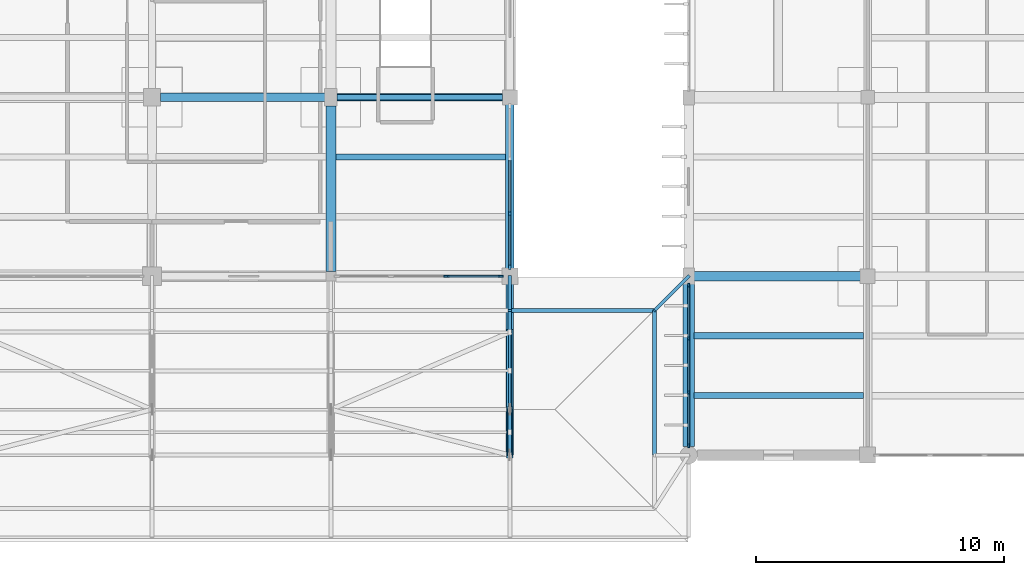
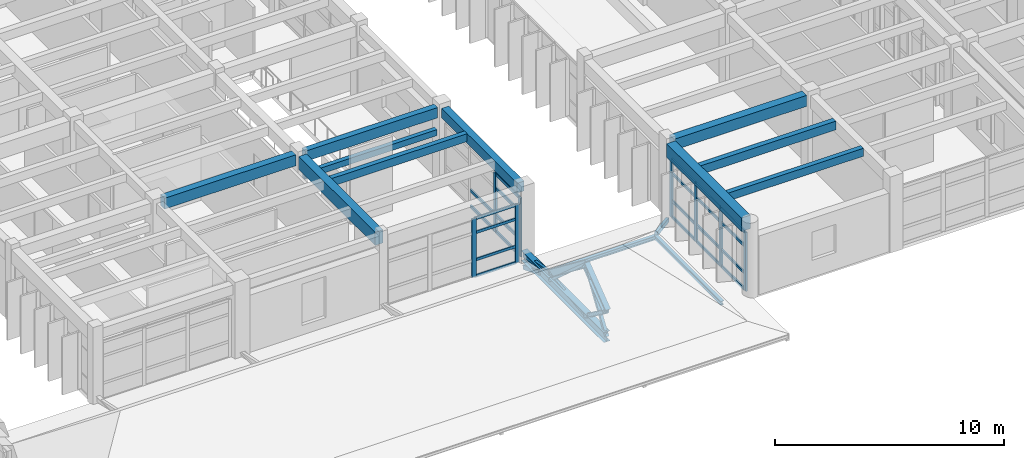
# One storey, part 26 of 100: 41 members, 11 beams, 3 elements without a shape of their own.
"""IFC4 building model written with IfcOpenShell, lengths in metres."""

import ifcopenshell
import ifcopenshell.guid

model = None  # the IFC model being written
_history = None  # IfcOwnerHistory: only IFC2X3 demands one
_inside = {}  # id of a spatial element -> (the spatial element, [elements in it])
_under = {}  # id of a project, library or spatial element -> (it, [spatial elements below it])
_declared = {}  # id of a project -> (the project, [libraries it declares])
_typed = {}  # id of a type object -> (the type object, [elements of that type])
_made_of = {}  # id of a material, layer set ... -> (it, [elements and type objects made of it])


def new_model(schema):
    """Start an empty IFC model of exactly this schema.

    Asked for "IFC4X3", IfcOpenShell would pick the latest addendum, in which some entities
    have other attributes; the version numbers below select the first issue.
    IFC2X3 requires an IfcOwnerHistory on every rooted entity: one is made here for all.
    """
    global model, _history
    if schema == "IFC4X3":
        model = ifcopenshell.file(schema_version=(4, 3, 0, 0))
    else:
        model = ifcopenshell.file(schema=schema)
    _inside.clear()
    _under.clear()
    _declared.clear()
    _typed.clear()
    _made_of.clear()
    _history = None
    if model.schema == "IFC2X3":
        org = make("IfcOrganization", Name="unknown")
        user = make(
            "IfcPersonAndOrganization",
            ThePerson=make("IfcPerson", FamilyName="unknown"),
            TheOrganization=org,
        )
        app = make(
            "IfcApplication",
            ApplicationDeveloper=org,
            Version="unknown",
            ApplicationFullName="unknown",
            ApplicationIdentifier="unknown",
        )
        _history = make(
            "IfcOwnerHistory",
            OwningUser=user,
            OwningApplication=app,
            ChangeAction="ADDED",
            CreationDate=0,
        )
    return model


def make(cls, **values):
    """One entity of the class cls with the attributes given. An attribute that is None is left unset."""
    return model.create_entity(
        cls, **{name: value for name, value in values.items() if value is not None}
    )


def rooted(cls, **values):
    """An entity with a GlobalId (a new one), such as an element, a storey or a relation."""
    return make(cls, GlobalId=ifcopenshell.guid.new(), OwnerHistory=_history, **values)


def si_unit(unit_type, name, prefix=None):
    """IfcSIUnit, for example si_unit("LENGTHUNIT", "METRE", prefix="MILLI")."""
    return make("IfcSIUnit", UnitType=unit_type, Prefix=prefix, Name=name)


def assignment(units):
    """IfcUnitAssignment: the units of a project."""
    return None if units is None else make("IfcUnitAssignment", Units=units)


def point(xyz):
    """IfcCartesianPoint."""
    return None if xyz is None else make("IfcCartesianPoint", Coordinates=xyz)


def direction(xyz):
    """IfcDirection."""
    return None if xyz is None else make("IfcDirection", DirectionRatios=xyz)


def frame(location, z_axis=None, x_axis=None):
    """IfcAxis2Placement3D, a coordinate frame: its origin and axes. An axis left out is left unset."""
    return make(
        "IfcAxis2Placement3D",
        Location=point(location),
        Axis=direction(z_axis),
        RefDirection=direction(x_axis),
    )


def frame_2d(location, x_axis=None):
    """IfcAxis2Placement2D, a coordinate frame in the plane: its origin and x axis."""
    return make(
        "IfcAxis2Placement2D", Location=point(location), RefDirection=direction(x_axis)
    )


def origin():
    """The frame at (0, 0, 0) with its axes left unset."""
    return frame((0.0, 0.0, 0.0))


def origin_2d():
    """The frame at (0, 0) in the plane with its x axis left unset."""
    return frame_2d((0.0, 0.0))


def place(relative_to, where):
    """IfcLocalPlacement: puts the frame where relative to a parent placement (None: the world)."""
    return make(
        "IfcLocalPlacement", PlacementRelTo=relative_to, RelativePlacement=where
    )


def context(
    kind, dimensions, precision=None, world=None, true_north=None, identifier=None
):
    """IfcGeometricRepresentationContext, for example the 3D "Model" context."""
    return make(
        "IfcGeometricRepresentationContext",
        ContextIdentifier=identifier,
        ContextType=kind,
        CoordinateSpaceDimension=dimensions,
        Precision=precision,
        WorldCoordinateSystem=world,
        TrueNorth=true_north,
    )


def subcontext(parent, identifier, kind, view, scale=None):
    """IfcGeometricRepresentationSubContext, for example "Body" below "Model"."""
    return make(
        "IfcGeometricRepresentationSubContext",
        ContextIdentifier=identifier,
        ContextType=kind,
        ParentContext=parent,
        TargetScale=scale,
        TargetView=view,
    )


def project(units=None, contexts=None):
    """IfcProject with its units and contexts."""
    return rooted(
        "IfcProject",
        Name="project",
        RepresentationContexts=contexts,
        UnitsInContext=assignment(units),
    )


def spatial(cls, under=None, at=None, **own):
    """A site, building, storey or space (cls), placed at a placement, below another one or the project."""
    s = rooted(cls, ObjectPlacement=at, **own)
    if under is not None:
        _under.setdefault(under.id(), (under, []))[1].append(s)
    return s


def profile(cls, at=None, kind="AREA", **sizes):
    """A parametric profile (cls). Its sizes go by their IFC names, for example OverallWidth=200.0."""
    return make(cls, ProfileType=kind, Position=at, **sizes)


def rectangle(**sizes):
    """IfcRectangleProfileDef."""
    return profile("IfcRectangleProfileDef", **sizes)


def hollow_rectangle(**sizes):
    """IfcRectangleHollowProfileDef."""
    return profile("IfcRectangleHollowProfileDef", **sizes)


def hollow_circle(**sizes):
    """IfcCircleHollowProfileDef."""
    return profile("IfcCircleHollowProfileDef", **sizes)


def i_section(**sizes):
    """IfcIShapeProfileDef."""
    return profile("IfcIShapeProfileDef", **sizes)


def extrude(swept, where, along, depth):
    """IfcExtrudedAreaSolid: the profile swept, set in the frame where, extruded along a direction by depth."""
    return make(
        "IfcExtrudedAreaSolid",
        SweptArea=swept,
        Position=where,
        ExtrudedDirection=direction(along),
        Depth=depth,
    )


def shape(context_of_items, identifier, shape_type, items):
    """IfcShapeRepresentation: the items that make up one representation, for example the "Body"."""
    return make(
        "IfcShapeRepresentation",
        ContextOfItems=context_of_items,
        RepresentationIdentifier=identifier,
        RepresentationType=shape_type,
        Items=items,
    )


def material(Name=None, Category=None):
    """IfcMaterial."""
    return make("IfcMaterial", Name=Name, Category=Category)


def material_profile(
    of_material, cross_section, Name=None, Category=None, Priority=None
):
    """IfcMaterialProfile: a cross section and its material."""
    return make(
        "IfcMaterialProfile",
        Name=Name,
        Material=of_material,
        Profile=cross_section,
        Priority=Priority,
        Category=Category,
    )


def profile_set(profiles, Name=None, composite=None):
    """IfcMaterialProfileSet."""
    return make(
        "IfcMaterialProfileSet",
        Name=Name,
        MaterialProfiles=profiles,
        CompositeProfile=composite,
    )


def made_of(thing, what):
    """Note that an element or type object is made of a material, layer set ...; save() writes the relation."""
    if what is not None:
        _made_of.setdefault(what.id(), (what, []))[1].append(thing)
    return thing


def type_object(cls, material=None, **own):
    """A type object (cls), such as IfcWallType, which elements share."""
    return made_of(rooted(cls, **own), material)


def element(
    cls,
    number,
    at=None,
    inside=None,
    cuts=None,
    type_object=None,
    material=None,
    context=None,
    identifier="Body",
    shape_type=None,
    held_by="IfcProductDefinitionShape",
    body=None,
    shapes=None,
    **own,
):
    """One element of the class cls, such as IfcWall. Its Tag is "e" and its number.

    at: its placement. inside: the storey or other place that contains it. cuts: it is an
    opening in that element (IfcRelVoidsElement). A single representation is given by context,
    identifier, shape_type and body (its items); several are given by shapes. held_by: the class
    of the entity that holds the representations. save() writes the other relations.
    """
    e = rooted(cls, Tag="e%d" % number, ObjectPlacement=at, **own)
    if body is not None:
        shapes = [shape(context, identifier, shape_type, body)]
    if shapes is not None:
        e.Representation = make(held_by, Representations=shapes)
    if inside is not None:
        _inside.setdefault(inside.id(), (inside, []))[1].append(e)
    if cuts is not None:
        rooted(
            "IfcRelVoidsElement", RelatingBuildingElement=cuts, RelatedOpeningElement=e
        )
    if type_object is not None:
        _typed.setdefault(type_object.id(), (type_object, []))[1].append(e)
    return made_of(e, material)


def aggregate(whole, parts):
    """IfcRelAggregates: a whole, such as a stair, and the parts it consists of."""
    return rooted("IfcRelAggregates", RelatingObject=whole, RelatedObjects=parts)


def save(model, path):
    """Write the relations noted so far, then the file.

    IfcRelAggregates (storeys below a building ...), IfcRelContainedInSpatialStructure (elements
    in a storey), IfcRelDefinesByType, IfcRelAssociatesMaterial and IfcRelDeclares: one each for
    every whole, place, type object, material and project.
    """
    for whole, parts in _under.values():
        aggregate(whole, parts)
    for where, things in _inside.values():
        rooted(
            "IfcRelContainedInSpatialStructure",
            RelatedElements=things,
            RelatingStructure=where,
        )
    for kind, things in _typed.values():
        rooted("IfcRelDefinesByType", RelatedObjects=things, RelatingType=kind)
    for what, things in _made_of.values():
        rooted("IfcRelAssociatesMaterial", RelatedObjects=things, RelatingMaterial=what)
    for by, libraries in _declared.values():
        rooted("IfcRelDeclares", RelatingContext=by, RelatedDefinitions=libraries)
    model.write(path)


model = new_model("IFC4")

# Units and contexts
model_context = context("Model", 3, precision=1e-05, world=origin(), true_north=direction((0.0, 1.0)))
body_context = subcontext(model_context, "Body", "Model", "MODEL_VIEW")
ifc_project = project(units=[si_unit("LENGTHUNIT", "METRE"), si_unit("AREAUNIT", "SQUARE_METRE"), si_unit("VOLUMEUNIT", "CUBIC_METRE"), si_unit("PLANEANGLEUNIT", "RADIAN"), si_unit("MASSUNIT", "GRAM", prefix="KILO")], contexts=[model_context])

# Site, building, storey
site_placement = place(None, origin())
site = spatial("IfcSite", under=ifc_project, at=site_placement, CompositionType="ELEMENT")
building_placement = place(site_placement, origin())
building = spatial("IfcBuilding", under=site, at=building_placement, Name="Steenspoor Specialist Clinic", CompositionType="ELEMENT")
storey_placement = place(building_placement, frame((0.0, 0.0, 9.0)))
storey = spatial("IfcBuildingStorey", under=building, at=storey_placement, Name="L02", CompositionType="ELEMENT", Elevation=9.0)

# Beams
ifc_material_1 = material(Name="Concrete C35/45", Category="concrete")
ifc_material_profile_1 = material_profile(ifc_material_1, rectangle(XDim=0.300048828125, YDim=0.550048828125, at=origin_2d()), Name="RC-BM-300X550")
ifc_profile_set_1 = profile_set([ifc_material_profile_1], Name="Concrete C35/45")
beam_type_1 = type_object("IfcBeamType", Name="BM-RC-300X550", PredefinedType="BEAM", material=ifc_profile_set_1)
beam_1_placement = place(storey_placement, frame((88.64501953125, 79.550048828125, 3.675048828125), z_axis=(1.0, 0.0, 0.0), x_axis=(0.0, 1.0, 0.0)))
element("IfcBeam", 1, at=beam_1_placement, inside=storey, type_object=beam_type_1, Name="BM-V4-L02-X0653", PredefinedType="BEAM", context=body_context, shape_type="SweptSolid", body=[
    extrude(rectangle(XDim=0.300048828125, YDim=0.550048828125, at=origin_2d()), origin(), (0.0, 0.0, 1.0), 6.659912109375),
])
ifc_material_profile_2 = material_profile(ifc_material_1, rectangle(XDim=0.35009765625, YDim=0.52001953125, at=origin_2d()), Name="RC-BM-350X520")
ifc_profile_set_2 = profile_set([ifc_material_profile_2], Name="Concrete C35/45")
beam_type_2 = type_object("IfcBeamType", Name="BM-RC-350X520", PredefinedType="BEAM", material=ifc_profile_set_2)
beam_2_placement = place(storey_placement, frame((95.60009765625, 72.669921875, 3.68994140625), z_axis=(0.0, 1.0, 0.0), x_axis=(-1.0, 0.0, 0.0)))
element("IfcBeam", 2, at=beam_2_placement, inside=storey, type_object=beam_type_2, Name="BM-V4-L02-Y0716", PredefinedType="BEAM", context=body_context, shape_type="SweptSolid", body=[
    extrude(rectangle(XDim=0.35009765625, YDim=0.52001953125, at=origin_2d()), origin(), (0.0, 0.0, 1.0), 6.5849609375),
])
ifc_material_profile_3 = material_profile(ifc_material_1, rectangle(XDim=0.35009765625, YDim=0.580078125, at=origin_2d()), Name="RC-BM-350X580")
ifc_profile_set_3 = profile_set([ifc_material_profile_3], Name="Concrete C35/45")
beam_type_3 = type_object("IfcBeamType", Name="BM-RC-350X580", PredefinedType="BEAM", material=ifc_profile_set_3)
beam_3_placement = place(storey_placement, frame((81.544921875, 79.550048828125, 3.659912109375), z_axis=(1.0, 0.0, 0.0), x_axis=(0.0, 1.0, 0.0)))
element("IfcBeam", 3, at=beam_3_placement, inside=storey, type_object=beam_type_3, Name="BM-V4-L02-X0652", PredefinedType="BEAM", context=body_context, shape_type="SweptSolid", body=[
    extrude(rectangle(XDim=0.35009765625, YDim=0.580078125, at=origin_2d()), origin(), (0.0, 0.0, 1.0), 6.610107421875),
])
ifc_material_profile_4 = material_profile(ifc_material_1, rectangle(XDim=0.39990234375, YDim=0.580078125, at=origin_2d()), Name="RC-BM-400X580")
ifc_profile_set_4 = profile_set([ifc_material_profile_4], Name="Concrete C35/45")
beam_type_4 = type_object("IfcBeamType", Name="BM-RC-400X580", PredefinedType="BEAM", material=ifc_profile_set_4)
beam_4_placement = place(storey_placement, frame((103.02001953125, 72.35009765625, 3.659912109375), z_axis=(1.0, 0.0, 0.0), x_axis=(0.0, 1.0, 0.0)))
element("IfcBeam", 4, at=beam_4_placement, inside=storey, type_object=beam_type_4, Name="BM-V4-L02-X0647", PredefinedType="BEAM", context=body_context, shape_type="SweptSolid", body=[
    extrude(rectangle(XDim=0.39990234375, YDim=0.580078125, at=origin_2d()), origin(), (0.0, 0.0, 1.0), 6.68505859375),
])
ifc_material_profile_5 = material_profile(ifc_material_1, rectangle(XDim=0.39990234375, YDim=0.699951171875, at=origin_2d()), Name="RC-BM-400X700")
ifc_profile_set_5 = profile_set([ifc_material_profile_5], Name="Concrete C35/45")
beam_type_5 = type_object("IfcBeamType", Name="BM-RC-400X700", PredefinedType="BEAM", material=ifc_profile_set_5)
beam_5_placement = place(storey_placement, frame((88.39990234375, 72.544921875, 3.60009765625), z_axis=(0.0, 1.0, 0.0), x_axis=(-1.0, 0.0, 0.0)))
element("IfcBeam", 5, at=beam_5_placement, inside=storey, type_object=beam_type_5, Name="BM-V4-L02-Y0711", PredefinedType="BEAM", context=body_context, shape_type="SweptSolid", body=[
    extrude(rectangle(XDim=0.39990234375, YDim=0.699951171875, at=origin_2d()), origin(), (0.0, 0.0, 1.0), 6.66015625),
])
ifc_material_profile_6 = material_profile(ifc_material_1, rectangle(XDim=0.449951171875, YDim=0.719970703125, at=origin_2d()), Name="RC-BM-450X720")
ifc_profile_set_6 = profile_set([ifc_material_profile_6], Name="Concrete C35/45")
beam_type_6 = type_object("IfcBeamType", Name="BM-RC-450X720", PredefinedType="BEAM", material=ifc_profile_set_6)
beam_6_placement = place(storey_placement, frame((102.800048828125, 65.4951171875, 3.590087890625), z_axis=(0.0, 1.0, 0.0), x_axis=(-1.0, 0.0, 0.0)))
element("IfcBeam", 6, at=beam_6_placement, inside=storey, type_object=beam_type_6, Name="BM-V4-L02-Y0721", PredefinedType="BEAM", context=body_context, shape_type="SweptSolid", body=[
    extrude(rectangle(XDim=0.449951171875, YDim=0.719970703125, at=origin_2d()), origin(), (0.0, 0.0, 1.0), 6.534912109375),
])
ifc_material_2 = material(Name="Steel A992 Grade 50", Category="steel")
ifc_material_profile_7 = material_profile(ifc_material_2, i_section(OverallWidth=0.31201171875, OverallDepth=0.54296875, WebThickness=0.0126953125, FlangeThickness=0.020263671875, at=origin_2d()), Name="W530X150")
ifc_profile_set_7 = profile_set([ifc_material_profile_7], Name="Steel A992 Grade 50")
beam_type_7 = type_object("IfcBeamType", Name="BM-ST-W530X150", PredefinedType="BEAM", material=ifc_profile_set_7)
beam_7_placement = place(storey_placement, frame((95.60009765625, 65.14990234375, 0.29150390625), z_axis=(0.0, 1.0, 0.0), x_axis=(-1.0, 0.0, 0.0)))
element("IfcBeam", 7, at=beam_7_placement, inside=storey, type_object=beam_type_7, Name="ROOF TRUSS Bottom Tie Chord V4T1 5", PredefinedType="BEAM", context=body_context, shape_type="SweptSolid", body=[
    extrude(i_section(OverallWidth=0.31201171875, OverallDepth=0.54296875, WebThickness=0.0126953125, FlangeThickness=0.020263671875, at=origin_2d()), origin(), (0.0, 0.0, 1.0), 7.2001953125),
])

# Curtain wall, members
ifc_material_3 = material(Name="Thermally broken aluminium and low-emissivity glass", Category="aluminium")
curtain_wall_type_1 = type_object("IfcCurtainWallType", Name="CW-SCR-360X320", PredefinedType="USERDEFINED", material=ifc_material_3)
curtain_wall_1_placement = place(storey_placement, origin())
curtain_wall_1 = element("IfcCurtainWall", 8, at=curtain_wall_1_placement, inside=storey, type_object=curtain_wall_type_1, Name="Unitised Curtain Wall CW-V4-L02-091", ObjectType="UNITISED GLAZING", PredefinedType="USERDEFINED")
ifc_material_4 = material(Name="Thermally broken aluminium 6063-T6", Category="aluminium")
ifc_material_profile_8 = material_profile(ifc_material_4, rectangle(XDim=0.080078125, YDim=0.179931640625, at=origin_2d()), Name="CWM-80X180")
ifc_profile_set_8 = profile_set([ifc_material_profile_8], Name="Thermally broken aluminium 6063-T6")
member_type_1 = type_object("IfcMemberType", Name="CW-MULL-80X180", PredefinedType="MULLION", material=ifc_profile_set_8)
member_1_placement = place(storey_placement, frame((102.800048828125, 65.5400390625, 0.0), z_axis=(0.0, 0.0, 1.0), x_axis=(-1.0, 0.0, 0.0)))
member_1 = element("IfcMember", 9, at=member_1_placement, type_object=member_type_1, Name="CW-19 mullion 1", PredefinedType="MULLION", context=body_context, shape_type="SweptSolid", body=[
    extrude(rectangle(XDim=0.080078125, YDim=0.179931640625, at=origin_2d()), origin(), (0.0, 0.0, 1.0), 3.1298828125),
])
member_2_placement = place(storey_placement, frame((102.800048828125, 67.675048828125, 0.0), z_axis=(0.0, 0.0, 1.0), x_axis=(-1.0, 0.0, 0.0)))
member_2 = element("IfcMember", 10, at=member_2_placement, type_object=member_type_1, Name="CW-19 mullion 2", PredefinedType="MULLION", context=body_context, shape_type="SweptSolid", body=[
    extrude(rectangle(XDim=0.080078125, YDim=0.179931640625, at=origin_2d()), origin(), (0.0, 0.0, 1.0), 3.1298828125),
])
member_3_placement = place(storey_placement, frame((102.800048828125, 69.85009765625, 0.0), z_axis=(0.0, 0.0, 1.0), x_axis=(-1.0, 0.0, 0.0)))
member_3 = element("IfcMember", 11, at=member_3_placement, type_object=member_type_1, Name="CW-19 mullion 3", PredefinedType="MULLION", context=body_context, shape_type="SweptSolid", body=[
    extrude(rectangle(XDim=0.080078125, YDim=0.179931640625, at=origin_2d()), origin(), (0.0, 0.0, 1.0), 3.1298828125),
])
member_4_placement = place(storey_placement, frame((102.800048828125, 71.985107421875, 0.0), z_axis=(0.0, 0.0, 1.0), x_axis=(-1.0, 0.0, 0.0)))
member_4 = element("IfcMember", 12, at=member_4_placement, type_object=member_type_1, Name="CW-19 mullion 4", PredefinedType="MULLION", context=body_context, shape_type="SweptSolid", body=[
    extrude(rectangle(XDim=0.080078125, YDim=0.179931640625, at=origin_2d()), origin(), (0.0, 0.0, 1.0), 3.1298828125),
])

curtain_wall_type_2 = type_object("IfcCurtainWallType", Name="CW-STR-220X415", PredefinedType="USERDEFINED", material=ifc_material_3)
curtain_wall_2_placement = place(storey_placement, origin())
curtain_wall_2 = element("IfcCurtainWall", 13, at=curtain_wall_2_placement, inside=storey, type_object=curtain_wall_type_2, Name="Unitised Curtain Wall CW-V4-L02-096", ObjectType="UNITISED GLAZING", PredefinedType="USERDEFINED")
ifc_material_profile_9 = material_profile(ifc_material_4, rectangle(XDim=0.080078125, YDim=0.219970703125, at=origin_2d()), Name="CWM-80X220")
ifc_profile_set_9 = profile_set([ifc_material_profile_9], Name="Thermally broken aluminium 6063-T6")
member_type_2 = type_object("IfcMemberType", Name="CW-MULL-80X220", PredefinedType="MULLION", material=ifc_profile_set_9)
member_5_placement = place(storey_placement, frame((95.235107421875, 72.35009765625, 0.0), z_axis=(0.0, 0.0, 1.0), x_axis=(0.0, -1.0, 0.0)))
member_5 = element("IfcMember", 14, at=member_5_placement, type_object=member_type_2, Name="CW-24 mullion 1", PredefinedType="MULLION", context=body_context, shape_type="SweptSolid", body=[
    extrude(rectangle(XDim=0.080078125, YDim=0.219970703125, at=origin_2d()), origin(), (0.0, 0.0, 1.0), 3.1298828125),
])
member_6_placement = place(storey_placement, frame((93.050048828125, 72.35009765625, 0.0), z_axis=(0.0, 0.0, 1.0), x_axis=(0.0, -1.0, 0.0)))
member_6 = element("IfcMember", 15, at=member_6_placement, type_object=member_type_2, Name="CW-24 mullion 2", PredefinedType="MULLION", context=body_context, shape_type="SweptSolid", body=[
    extrude(rectangle(XDim=0.080078125, YDim=0.219970703125, at=origin_2d()), origin(), (0.0, 0.0, 1.0), 3.1298828125),
])

curtain_wall_type_3 = type_object("IfcCurtainWallType", Name="CW-STR-220X355", PredefinedType="USERDEFINED", material=ifc_material_3)
curtain_wall_3_placement = place(storey_placement, origin())
curtain_wall_3 = element("IfcCurtainWall", 16, at=curtain_wall_3_placement, inside=storey, type_object=curtain_wall_type_3, Name="Unitised Curtain Wall CW-V4-L02-095", ObjectType="UNITISED GLAZING", PredefinedType="USERDEFINED")
ifc_material_profile_10 = material_profile(ifc_material_4, rectangle(XDim=0.090087890625, YDim=0.199951171875, at=origin_2d()), Name="CWM-90X200")
ifc_profile_set_10 = profile_set([ifc_material_profile_10], Name="Thermally broken aluminium 6063-T6")
member_type_3 = type_object("IfcMemberType", Name="CW-MULL-90X200", PredefinedType="MULLION", material=ifc_profile_set_10)
member_7_placement = place(storey_placement, frame((95.60009765625, 74.86669921875, 0.0), z_axis=(0.0, 0.0, 1.0), x_axis=(1.0, 0.0, 0.0)))
member_7 = element("IfcMember", 17, at=member_7_placement, type_object=member_type_3, Name="CW-23 mullion 3", PredefinedType="MULLION", context=body_context, shape_type="SweptSolid", body=[
    extrude(rectangle(XDim=0.090087890625, YDim=0.199951171875, at=origin_2d()), origin(), (0.0, 0.0, 1.0), 3.1298828125),
])
member_8_placement = place(storey_placement, frame((95.60009765625, 72.719970703125, 0.0), z_axis=(0.0, 0.0, 1.0), x_axis=(1.0, 0.0, 0.0)))
member_8 = element("IfcMember", 18, at=member_8_placement, type_object=member_type_3, Name="CW-23 mullion 4", PredefinedType="MULLION", context=body_context, shape_type="SweptSolid", body=[
    extrude(rectangle(XDim=0.090087890625, YDim=0.199951171875, at=origin_2d()), origin(), (0.0, 0.0, 1.0), 3.1298828125),
])

# Member
ifc_material_profile_11 = material_profile(ifc_material_4, rectangle(XDim=0.070068359375, YDim=0.14501953125, at=origin_2d()), Name="CWT-70X145")
ifc_profile_set_11 = profile_set([ifc_material_profile_11], Name="Thermally broken aluminium 6063-T6")
member_type_4 = type_object("IfcMemberType", Name="CW-TRAN-70X145", PredefinedType="USERDEFINED", material=ifc_profile_set_11)
member_9_placement = place(storey_placement, frame((102.800048828125, 65.580078125, 0.034912109375), z_axis=(0.0, 1.0, 0.0), x_axis=(-1.0, 0.0, 0.0)))
member_9 = element("IfcMember", 19, at=member_9_placement, type_object=member_type_4, Name="CW-19 transom 1.1", ObjectType="TRANSOM", PredefinedType="USERDEFINED", context=body_context, shape_type="SweptSolid", body=[
    extrude(rectangle(XDim=0.070068359375, YDim=0.14501953125, at=origin_2d()), origin(), (0.0, 0.0, 1.0), 2.054931640625),
])

member_10_placement = place(storey_placement, frame((102.800048828125, 65.580078125, 0.89990234375), z_axis=(0.0, 1.0, 0.0), x_axis=(-1.0, 0.0, 0.0)))
member_10 = element("IfcMember", 20, at=member_10_placement, type_object=member_type_4, Name="CW-19 transom 1.2", ObjectType="TRANSOM", PredefinedType="USERDEFINED", context=body_context, shape_type="SweptSolid", body=[
    extrude(rectangle(XDim=0.070068359375, YDim=0.14501953125, at=origin_2d()), origin(), (0.0, 0.0, 1.0), 2.054931640625),
])

member_11_placement = place(storey_placement, frame((102.800048828125, 65.580078125, 2.35009765625), z_axis=(0.0, 1.0, 0.0), x_axis=(-1.0, 0.0, 0.0)))
member_11 = element("IfcMember", 21, at=member_11_placement, type_object=member_type_4, Name="CW-19 transom 1.3", ObjectType="TRANSOM", PredefinedType="USERDEFINED", context=body_context, shape_type="SweptSolid", body=[
    extrude(rectangle(XDim=0.070068359375, YDim=0.14501953125, at=origin_2d()), origin(), (0.0, 0.0, 1.0), 2.054931640625),
])

member_12_placement = place(storey_placement, frame((102.800048828125, 65.580078125, 3.094970703125), z_axis=(0.0, 1.0, 0.0), x_axis=(-1.0, 0.0, 0.0)))
member_12 = element("IfcMember", 22, at=member_12_placement, type_object=member_type_4, Name="CW-19 transom 1.4", ObjectType="TRANSOM", PredefinedType="USERDEFINED", context=body_context, shape_type="SweptSolid", body=[
    extrude(rectangle(XDim=0.070068359375, YDim=0.14501953125, at=origin_2d()), origin(), (0.0, 0.0, 1.0), 2.054931640625),
])

member_13_placement = place(storey_placement, frame((102.800048828125, 67.715087890625, 0.034912109375), z_axis=(0.0, 1.0, 0.0), x_axis=(-1.0, 0.0, 0.0)))
member_13 = element("IfcMember", 23, at=member_13_placement, type_object=member_type_4, Name="CW-19 transom 2.1", ObjectType="TRANSOM", PredefinedType="USERDEFINED", context=body_context, shape_type="SweptSolid", body=[
    extrude(rectangle(XDim=0.070068359375, YDim=0.14501953125, at=origin_2d()), origin(), (0.0, 0.0, 1.0), 2.094970703125),
])

member_14_placement = place(storey_placement, frame((102.800048828125, 67.715087890625, 0.89990234375), z_axis=(0.0, 1.0, 0.0), x_axis=(-1.0, 0.0, 0.0)))
member_14 = element("IfcMember", 24, at=member_14_placement, type_object=member_type_4, Name="CW-19 transom 2.2", ObjectType="TRANSOM", PredefinedType="USERDEFINED", context=body_context, shape_type="SweptSolid", body=[
    extrude(rectangle(XDim=0.070068359375, YDim=0.14501953125, at=origin_2d()), origin(), (0.0, 0.0, 1.0), 2.094970703125),
])

member_15_placement = place(storey_placement, frame((102.800048828125, 67.715087890625, 2.35009765625), z_axis=(0.0, 1.0, 0.0), x_axis=(-1.0, 0.0, 0.0)))
member_15 = element("IfcMember", 25, at=member_15_placement, type_object=member_type_4, Name="CW-19 transom 2.3", ObjectType="TRANSOM", PredefinedType="USERDEFINED", context=body_context, shape_type="SweptSolid", body=[
    extrude(rectangle(XDim=0.070068359375, YDim=0.14501953125, at=origin_2d()), origin(), (0.0, 0.0, 1.0), 2.094970703125),
])

member_16_placement = place(storey_placement, frame((102.800048828125, 67.715087890625, 3.094970703125), z_axis=(0.0, 1.0, 0.0), x_axis=(-1.0, 0.0, 0.0)))
member_16 = element("IfcMember", 26, at=member_16_placement, type_object=member_type_4, Name="CW-19 transom 2.4", ObjectType="TRANSOM", PredefinedType="USERDEFINED", context=body_context, shape_type="SweptSolid", body=[
    extrude(rectangle(XDim=0.070068359375, YDim=0.14501953125, at=origin_2d()), origin(), (0.0, 0.0, 1.0), 2.094970703125),
])

member_17_placement = place(storey_placement, frame((102.800048828125, 69.889892578125, 0.034912109375), z_axis=(0.0, 1.0, 0.0), x_axis=(-1.0, 0.0, 0.0)))
member_17 = element("IfcMember", 27, at=member_17_placement, type_object=member_type_4, Name="CW-19 transom 3.1", ObjectType="TRANSOM", PredefinedType="USERDEFINED", context=body_context, shape_type="SweptSolid", body=[
    extrude(rectangle(XDim=0.070068359375, YDim=0.14501953125, at=origin_2d()), origin(), (0.0, 0.0, 1.0), 2.05517578125),
])

member_18_placement = place(storey_placement, frame((102.800048828125, 69.889892578125, 0.89990234375), z_axis=(0.0, 1.0, 0.0), x_axis=(-1.0, 0.0, 0.0)))
member_18 = element("IfcMember", 28, at=member_18_placement, type_object=member_type_4, Name="CW-19 transom 3.2", ObjectType="TRANSOM", PredefinedType="USERDEFINED", context=body_context, shape_type="SweptSolid", body=[
    extrude(rectangle(XDim=0.070068359375, YDim=0.14501953125, at=origin_2d()), origin(), (0.0, 0.0, 1.0), 2.05517578125),
])

member_19_placement = place(storey_placement, frame((102.800048828125, 69.889892578125, 2.35009765625), z_axis=(0.0, 1.0, 0.0), x_axis=(-1.0, 0.0, 0.0)))
member_19 = element("IfcMember", 29, at=member_19_placement, type_object=member_type_4, Name="CW-19 transom 3.3", ObjectType="TRANSOM", PredefinedType="USERDEFINED", context=body_context, shape_type="SweptSolid", body=[
    extrude(rectangle(XDim=0.070068359375, YDim=0.14501953125, at=origin_2d()), origin(), (0.0, 0.0, 1.0), 2.05517578125),
])

member_20_placement = place(storey_placement, frame((102.800048828125, 69.889892578125, 3.094970703125), z_axis=(0.0, 1.0, 0.0), x_axis=(-1.0, 0.0, 0.0)))
member_20 = element("IfcMember", 30, at=member_20_placement, type_object=member_type_4, Name="CW-19 transom 3.4", ObjectType="TRANSOM", PredefinedType="USERDEFINED", context=body_context, shape_type="SweptSolid", body=[
    extrude(rectangle(XDim=0.070068359375, YDim=0.14501953125, at=origin_2d()), origin(), (0.0, 0.0, 1.0), 2.05517578125),
])

aggregate(curtain_wall_1, [member_1, member_2, member_3, member_4, member_9, member_10, member_11, member_12, member_13, member_14, member_15, member_16, member_17, member_18, member_19, member_20])

member_21_placement = place(storey_placement, frame((95.195068359375, 72.35009765625, 0.034912109375), z_axis=(-1.0, 0.0, 0.0), x_axis=(0.0, -1.0, 0.0)))
member_21 = element("IfcMember", 31, at=member_21_placement, type_object=member_type_4, Name="CW-24 transom 1.1", ObjectType="TRANSOM", PredefinedType="USERDEFINED", context=body_context, shape_type="SweptSolid", body=[
    extrude(rectangle(XDim=0.070068359375, YDim=0.14501953125, at=origin_2d()), origin(), (0.0, 0.0, 1.0), 2.10498046875),
])

member_22_placement = place(storey_placement, frame((95.195068359375, 72.35009765625, 0.89990234375), z_axis=(-1.0, 0.0, 0.0), x_axis=(0.0, -1.0, 0.0)))
member_22 = element("IfcMember", 32, at=member_22_placement, type_object=member_type_4, Name="CW-24 transom 1.2", ObjectType="TRANSOM", PredefinedType="USERDEFINED", context=body_context, shape_type="SweptSolid", body=[
    extrude(rectangle(XDim=0.070068359375, YDim=0.14501953125, at=origin_2d()), origin(), (0.0, 0.0, 1.0), 2.10498046875),
])

member_23_placement = place(storey_placement, frame((95.195068359375, 72.35009765625, 2.35009765625), z_axis=(-1.0, 0.0, 0.0), x_axis=(0.0, -1.0, 0.0)))
member_23 = element("IfcMember", 33, at=member_23_placement, type_object=member_type_4, Name="CW-24 transom 1.3", ObjectType="TRANSOM", PredefinedType="USERDEFINED", context=body_context, shape_type="SweptSolid", body=[
    extrude(rectangle(XDim=0.070068359375, YDim=0.14501953125, at=origin_2d()), origin(), (0.0, 0.0, 1.0), 2.10498046875),
])

member_24_placement = place(storey_placement, frame((95.195068359375, 72.35009765625, 3.094970703125), z_axis=(-1.0, 0.0, 0.0), x_axis=(0.0, -1.0, 0.0)))
member_24 = element("IfcMember", 34, at=member_24_placement, type_object=member_type_4, Name="CW-24 transom 1.4", ObjectType="TRANSOM", PredefinedType="USERDEFINED", context=body_context, shape_type="SweptSolid", body=[
    extrude(rectangle(XDim=0.070068359375, YDim=0.14501953125, at=origin_2d()), origin(), (0.0, 0.0, 1.0), 2.10498046875),
])

aggregate(curtain_wall_2, [member_5, member_6, member_21, member_22, member_23, member_24])

ifc_material_profile_12 = material_profile(ifc_material_4, rectangle(XDim=0.080078125, YDim=0.159912109375, at=origin_2d()), Name="CWT-80X160")
ifc_profile_set_12 = profile_set([ifc_material_profile_12], Name="Thermally broken aluminium 6063-T6")
member_type_5 = type_object("IfcMemberType", Name="CW-TRAN-80X160", PredefinedType="USERDEFINED", material=ifc_profile_set_12)
member_25_placement = place(storey_placement, frame((95.60009765625, 77.013427734375, 0.0400390625), z_axis=(0.0, -1.0, 0.0), x_axis=(1.0, 0.0, 0.0)))
member_25 = element("IfcMember", 35, at=member_25_placement, type_object=member_type_5, Name="CW-23 transom 2.1", ObjectType="TRANSOM", PredefinedType="USERDEFINED", context=body_context, shape_type="SweptSolid", body=[
    extrude(rectangle(XDim=0.080078125, YDim=0.159912109375, at=origin_2d()), origin(), (0.0, 0.0, 1.0), 2.101806640625),
])

member_26_placement = place(storey_placement, frame((95.60009765625, 77.013427734375, 0.89990234375), z_axis=(0.0, -1.0, 0.0), x_axis=(1.0, 0.0, 0.0)))
member_26 = element("IfcMember", 36, at=member_26_placement, type_object=member_type_5, Name="CW-23 transom 2.2", ObjectType="TRANSOM", PredefinedType="USERDEFINED", context=body_context, shape_type="SweptSolid", body=[
    extrude(rectangle(XDim=0.080078125, YDim=0.159912109375, at=origin_2d()), origin(), (0.0, 0.0, 1.0), 2.101806640625),
])

member_27_placement = place(storey_placement, frame((95.60009765625, 74.82177734375, 0.0400390625), z_axis=(0.0, -1.0, 0.0), x_axis=(1.0, 0.0, 0.0)))
member_27 = element("IfcMember", 37, at=member_27_placement, type_object=member_type_5, Name="CW-23 transom 3.1", ObjectType="TRANSOM", PredefinedType="USERDEFINED", context=body_context, shape_type="SweptSolid", body=[
    extrude(rectangle(XDim=0.080078125, YDim=0.159912109375, at=origin_2d()), origin(), (0.0, 0.0, 1.0), 2.056884765625),
])

member_28_placement = place(storey_placement, frame((95.60009765625, 74.82177734375, 0.89990234375), z_axis=(0.0, -1.0, 0.0), x_axis=(1.0, 0.0, 0.0)))
member_28 = element("IfcMember", 38, at=member_28_placement, type_object=member_type_5, Name="CW-23 transom 3.2", ObjectType="TRANSOM", PredefinedType="USERDEFINED", context=body_context, shape_type="SweptSolid", body=[
    extrude(rectangle(XDim=0.080078125, YDim=0.159912109375, at=origin_2d()), origin(), (0.0, 0.0, 1.0), 2.056884765625),
])

member_29_placement = place(storey_placement, frame((95.60009765625, 74.82177734375, 2.35009765625), z_axis=(0.0, -1.0, 0.0), x_axis=(1.0, 0.0, 0.0)))
member_29 = element("IfcMember", 39, at=member_29_placement, type_object=member_type_5, Name="CW-23 transom 3.3", ObjectType="TRANSOM", PredefinedType="USERDEFINED", context=body_context, shape_type="SweptSolid", body=[
    extrude(rectangle(XDim=0.080078125, YDim=0.159912109375, at=origin_2d()), origin(), (0.0, 0.0, 1.0), 2.056884765625),
])

member_30_placement = place(storey_placement, frame((95.60009765625, 74.82177734375, 3.090087890625), z_axis=(0.0, -1.0, 0.0), x_axis=(1.0, 0.0, 0.0)))
member_30 = element("IfcMember", 40, at=member_30_placement, type_object=member_type_5, Name="CW-23 transom 3.4", ObjectType="TRANSOM", PredefinedType="USERDEFINED", context=body_context, shape_type="SweptSolid", body=[
    extrude(rectangle(XDim=0.080078125, YDim=0.159912109375, at=origin_2d()), origin(), (0.0, 0.0, 1.0), 2.056884765625),
])

aggregate(curtain_wall_3, [member_7, member_8, member_25, member_26, member_27, member_28, member_29, member_30])

# Beams
ifc_material_profile_13 = material_profile(ifc_material_1, rectangle(XDim=0.239990234375, YDim=0.419921875, at=origin_2d()), Name="RC-JT-240X420")
ifc_profile_set_13 = profile_set([ifc_material_profile_13], Name="Concrete C35/45")
beam_type_8 = type_object("IfcBeamType", Name="JT-RC-240X420", PredefinedType="JOIST", material=ifc_profile_set_13)
beam_8_placement = place(storey_placement, frame((88.594970703125, 77.14990234375, 3.739990234375), z_axis=(1.0, 0.0, 0.0), x_axis=(0.0, 1.0, 0.0)))
element("IfcBeam", 41, at=beam_8_placement, inside=storey, type_object=beam_type_8, Name="JT-V4-L02-0777", PredefinedType="JOIST", context=body_context, shape_type="SweptSolid", body=[
    extrude(rectangle(XDim=0.239990234375, YDim=0.419921875, at=origin_2d()), origin(), (0.0, 0.0, 1.0), 6.8349609375),
])
beam_9_placement = place(storey_placement, frame((103.02001953125, 67.550048828125, 3.739990234375), z_axis=(1.0, 0.0, 0.0), x_axis=(0.0, 1.0, 0.0)))
element("IfcBeam", 42, at=beam_9_placement, inside=storey, type_object=beam_type_8, Name="JT-V4-L02-0790", PredefinedType="JOIST", context=body_context, shape_type="SweptSolid", body=[
    extrude(rectangle(XDim=0.239990234375, YDim=0.419921875, at=origin_2d()), origin(), (0.0, 0.0, 1.0), 6.81005859375),
])
ifc_material_profile_14 = material_profile(ifc_material_1, rectangle(XDim=0.260009765625, YDim=0.4599609375, at=origin_2d()), Name="RC-JT-260X460")
ifc_profile_set_14 = profile_set([ifc_material_profile_14], Name="Concrete C35/45")
beam_type_9 = type_object("IfcBeamType", Name="JT-RC-260X460", PredefinedType="JOIST", material=ifc_profile_set_14)
beam_10_placement = place(storey_placement, frame((103.02001953125, 69.949951171875, 3.719970703125), z_axis=(1.0, 0.0, 0.0), x_axis=(0.0, 1.0, 0.0)))
element("IfcBeam", 43, at=beam_10_placement, inside=storey, type_object=beam_type_9, Name="JT-V4-L02-0791", PredefinedType="JOIST", context=body_context, shape_type="SweptSolid", body=[
    extrude(rectangle(XDim=0.260009765625, YDim=0.4599609375, at=origin_2d()), origin(), (0.0, 0.0, 1.0), 6.81005859375),
])
ifc_material_profile_15 = material_profile(ifc_material_1, rectangle(XDim=0.219970703125, YDim=0.320068359375, at=origin_2d()), Name="RC-LN-220X320")
ifc_profile_set_15 = profile_set([ifc_material_profile_15], Name="Concrete C35/45")
beam_type_10 = type_object("IfcBeamType", Name="LN-RC-220X320", PredefinedType="LINTEL", material=ifc_profile_set_15)
beam_11_placement = place(storey_placement, frame((88.64501953125, 79.550048828125, 2.590087890625), z_axis=(1.0, 0.0, 0.0), x_axis=(0.0, 1.0, 0.0)))
element("IfcBeam", 44, at=beam_11_placement, inside=storey, type_object=beam_type_10, Name="LN-INT-B06", PredefinedType="LINTEL", context=body_context, shape_type="SweptSolid", body=[
    extrude(rectangle(XDim=0.219970703125, YDim=0.320068359375, at=origin_2d()), origin(), (0.0, 0.0, 1.0), 6.659912109375),
])

# Members
ifc_material_5 = material(Name="Steel A500 Grade C", Category="steel")
ifc_material_profile_16 = material_profile(ifc_material_5, hollow_rectangle(XDim=0.126953125, YDim=0.126953125, WallThickness=0.0087890625, at=origin_2d()), Name="HSS127X127X9.5")
ifc_profile_set_16 = profile_set([ifc_material_profile_16], Name="Steel A500 Grade C")
member_type_6 = type_object("IfcMemberType", Name="MEM-BRACE-H127A", PredefinedType="BRACE", material=ifc_profile_set_16)
member_31_placement = place(storey_placement, frame((95.60009765625, 66.985107421875, 3.06201171875), z_axis=(0.0, 0.747215420517, -0.664581910183), x_axis=(-1.0, 0.0, 0.0)))
element("IfcMember", 45, at=member_31_placement, inside=storey, type_object=member_type_6, Name="ROOF TRUSS Web Brace V4T1 5.2", PredefinedType="BRACE", context=body_context, shape_type="SweptSolid", body=[
    extrude(hollow_rectangle(XDim=0.126953125, YDim=0.126953125, WallThickness=0.0087890625, at=origin_2d()), origin(), (0.0, 0.0, 1.0), 4.168701171875),
])
ifc_material_profile_17 = material_profile(ifc_material_5, hollow_rectangle(XDim=0.15234375, YDim=0.15234375, WallThickness=0.0087890625, at=origin_2d()), Name="HSS152X152X9.5")
ifc_profile_set_17 = profile_set([ifc_material_profile_17], Name="Steel A500 Grade C")
member_type_7 = type_object("IfcMemberType", Name="MEM-BRACE-H152", PredefinedType="BRACE", material=ifc_profile_set_17)
member_32_placement = place(storey_placement, frame((95.60009765625, 65.14990234375, 0.29150390625), z_axis=(0.0, 0.552239509522, 0.833685506725), x_axis=(-1.0, 0.0, 0.0)))
element("IfcMember", 46, at=member_32_placement, inside=storey, type_object=member_type_7, Name="ROOF TRUSS Web Brace V4T1 5.1", PredefinedType="BRACE", context=body_context, shape_type="SweptSolid", body=[
    extrude(hollow_rectangle(XDim=0.15234375, YDim=0.15234375, WallThickness=0.0087890625, at=origin_2d()), origin(), (0.0, 0.0, 1.0), 3.3232421875),
])
ifc_material_profile_18 = material_profile(ifc_material_2, i_section(OverallWidth=0.257080078125, OverallDepth=0.363037109375, WebThickness=0.012939453125, FlangeThickness=0.021728515625, at=origin_2d()), Name="W360X122")
ifc_profile_set_18 = profile_set([ifc_material_profile_18], Name="Steel A992 Grade 50")
member_type_8 = type_object("IfcMemberType", Name="MEM-CHORD-W360", PredefinedType="CHORD", material=ifc_profile_set_18)
member_33_placement = place(storey_placement, frame((95.60009765625, 65.14990234375, 1.6513671875), z_axis=(0.0, 0.792843510574, 0.609425276586), x_axis=(-1.0, 0.0, 0.0)))
element("IfcMember", 47, at=member_33_placement, inside=storey, type_object=member_type_8, Name="ROOF TRUSS Top Chord V4T1 5.1", PredefinedType="CHORD", context=body_context, shape_type="SweptSolid", body=[
    extrude(i_section(OverallWidth=0.257080078125, OverallDepth=0.363037109375, WebThickness=0.012939453125, FlangeThickness=0.021728515625, at=origin_2d()), origin(), (0.0, 0.0, 1.0), 2.314697265625),
])
member_34_placement = place(storey_placement, frame((95.60009765625, 66.985107421875, 3.06201171875), z_axis=(0.0, 0.792792580514, -0.609491529294), x_axis=(-1.0, 0.0, 0.0)))
element("IfcMember", 48, at=member_34_placement, inside=storey, type_object=member_type_8, Name="ROOF TRUSS Top Chord V4T1 5.2", PredefinedType="CHORD", context=body_context, shape_type="SweptSolid", body=[
    extrude(i_section(OverallWidth=0.257080078125, OverallDepth=0.363037109375, WebThickness=0.012939453125, FlangeThickness=0.021728515625, at=origin_2d()), origin(), (0.0, 0.0, 1.0), 3.92919921875),
])
ifc_material_profile_19 = material_profile(ifc_material_2, i_section(OverallWidth=0.1650390625, OverallDepth=0.200927734375, WebThickness=0.006103515625, FlangeThickness=0.01025390625, at=origin_2d()), Name="W200X36")
ifc_profile_set_19 = profile_set([ifc_material_profile_19], Name="Steel A992 Grade 50")
member_type_9 = type_object("IfcMemberType", Name="MEM-PURLIN-W200", PredefinedType="PURLIN", material=ifc_profile_set_19)
member_35_placement = place(storey_placement, frame((95.60009765625, 70.969970703125, 0.0439453125), z_axis=(1.0, 0.0, 0.0), x_axis=(0.0, 1.0, 0.0)))
element("IfcMember", 49, at=member_35_placement, inside=storey, type_object=member_type_9, Name="ROOF TRUSS Knuckle Purlin 209", PredefinedType="PURLIN", context=body_context, shape_type="SweptSolid", body=[
    extrude(i_section(OverallWidth=0.1650390625, OverallDepth=0.200927734375, WebThickness=0.006103515625, FlangeThickness=0.01025390625, at=origin_2d()), origin(), (0.0, 0.0, 1.0), 5.81982421875),
])
member_36_placement = place(storey_placement, frame((101.419921875, 65.14990234375, 0.0439453125), z_axis=(0.0, 1.0, 0.0), x_axis=(-1.0, 0.0, 0.0)))
element("IfcMember", 50, at=member_36_placement, inside=storey, type_object=member_type_9, Name="ROOF TRUSS Knuckle Purlin 213", PredefinedType="PURLIN", context=body_context, shape_type="SweptSolid", body=[
    extrude(i_section(OverallWidth=0.1650390625, OverallDepth=0.200927734375, WebThickness=0.006103515625, FlangeThickness=0.01025390625, at=origin_2d()), origin(), (0.0, 0.0, 1.0), 5.820068359375),
])
ifc_material_6 = material(Name="Glulam GL28h", Category="wood")
ifc_material_profile_20 = material_profile(ifc_material_6, rectangle(XDim=0.139892578125, YDim=0.219970703125, at=origin_2d()), Name="GL28H-140X220")
ifc_profile_set_20 = profile_set([ifc_material_profile_20], Name="Glulam GL28h")
member_type_10 = type_object("IfcMemberType", Name="MEM-RAFTER-GL220", PredefinedType="RAFTER", material=ifc_profile_set_20)
member_37_placement = place(storey_placement, frame((95.60009765625, 72.35009765625, -0.356201171875), z_axis=(0.0, -0.932915349138, 0.360095753019), x_axis=(1.0, 0.0, 0.0)))
element("IfcMember", 51, at=member_37_placement, inside=storey, type_object=member_type_10, Name="ROOF TRUSS Knuckle Rafter V4T1 127", PredefinedType="RAFTER", context=body_context, shape_type="SweptSolid", body=[
    extrude(rectangle(XDim=0.139892578125, YDim=0.219970703125, at=origin_2d()), origin(), (0.0, 0.0, 1.0), 1.479248046875),
])
member_38_placement = place(storey_placement, frame((102.800048828125, 72.35009765625, -0.376220703125), z_axis=(-0.680351376787, -0.680351376787, 0.272477537068), x_axis=(0.707106781187, -0.707106781187, 0.0)))
element("IfcMember", 52, at=member_38_placement, inside=storey, type_object=member_type_10, Name="ROOF TRUSS Corner Knuckle Rafter V4T1 134", PredefinedType="RAFTER", context=body_context, shape_type="SweptSolid", body=[
    extrude(rectangle(XDim=0.139892578125, YDim=0.219970703125, at=origin_2d()), origin(), (0.0, 0.0, 1.0), 2.028564453125),
])
member_39_placement = place(storey_placement, frame((95.60009765625, 72.35009765625, 0.29150390625), z_axis=(0.0, -0.986341808178, 0.16471137617), x_axis=(1.0, 0.0, 0.0)))
element("IfcMember", 53, at=member_39_placement, inside=storey, type_object=member_type_10, Name="ROOF TRUSS Heel Strut V4T1 N 5", PredefinedType="RAFTER", context=body_context, shape_type="SweptSolid", body=[
    extrude(rectangle(XDim=0.139892578125, YDim=0.219970703125, at=origin_2d()), origin(), (0.0, 0.0, 1.0), 2.28125),
])
ifc_material_profile_21 = material_profile(ifc_material_5, hollow_circle(Radius=0.109619140625, WallThickness=0.00830078125, at=origin_2d()), Name="CHS219X8.2")
ifc_profile_set_21 = profile_set([ifc_material_profile_21], Name="Steel A500 Grade C")
member_type_11 = type_object("IfcMemberType", Name="MEM-STRUT-CHS219", PredefinedType="STRUT", material=ifc_profile_set_21)
member_40_placement = place(storey_placement, frame((95.60009765625, 65.14990234375, 1.6513671875), z_axis=(0.0, 0.803462509966, -0.595355351937), x_axis=(-1.0, 0.0, 0.0)))
element("IfcMember", 54, at=member_40_placement, inside=storey, type_object=member_type_11, Name="ROOF TRUSS Web Strut V4T1 5.1", PredefinedType="STRUT", context=body_context, shape_type="SweptSolid", body=[
    extrude(hollow_circle(Radius=0.109619140625, WallThickness=0.00830078125, at=origin_2d()), origin(), (0.0, 0.0, 1.0), 2.2841796875),
])
ifc_material_profile_22 = material_profile(ifc_material_5, hollow_rectangle(XDim=0.1015625, YDim=0.1015625, WallThickness=0.005859375, at=origin_2d()), Name="HSS102X102X6.4")
ifc_profile_set_22 = profile_set([ifc_material_profile_22], Name="Steel A500 Grade C")
member_type_12 = type_object("IfcMemberType", Name="MEM-STRUT-H102", PredefinedType="STRUT", material=ifc_profile_set_22)
member_41_placement = place(storey_placement, frame((95.60009765625, 66.985107421875, 0.29150390625), z_axis=(0.0, 0.992803749863, 0.119752721298), x_axis=(-1.0, 0.0, 0.0)))
element("IfcMember", 55, at=member_41_placement, inside=storey, type_object=member_type_12, Name="ROOF TRUSS Web Strut V4T1 5.2", PredefinedType="STRUT", context=body_context, shape_type="SweptSolid", body=[
    extrude(hollow_rectangle(XDim=0.1015625, YDim=0.1015625, WallThickness=0.005859375, at=origin_2d()), origin(), (0.0, 0.0, 1.0), 3.137451171875),
])

save(model, "model.ifc")
